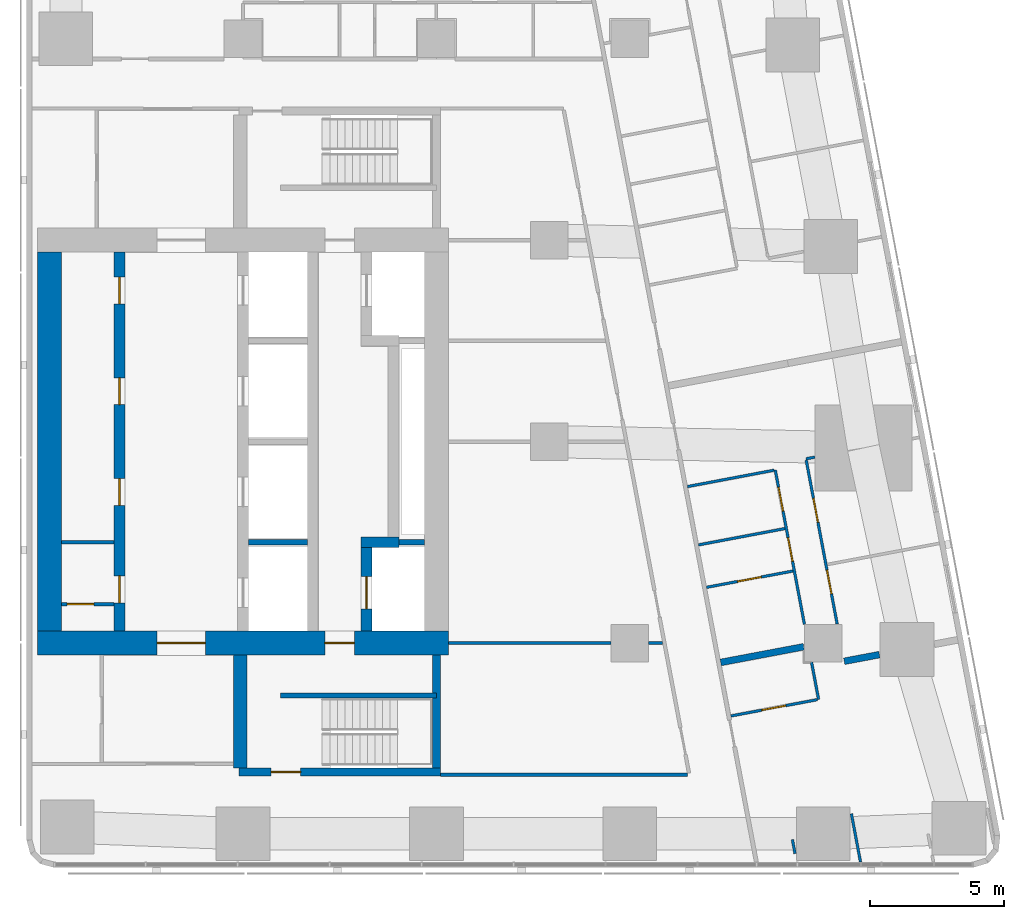
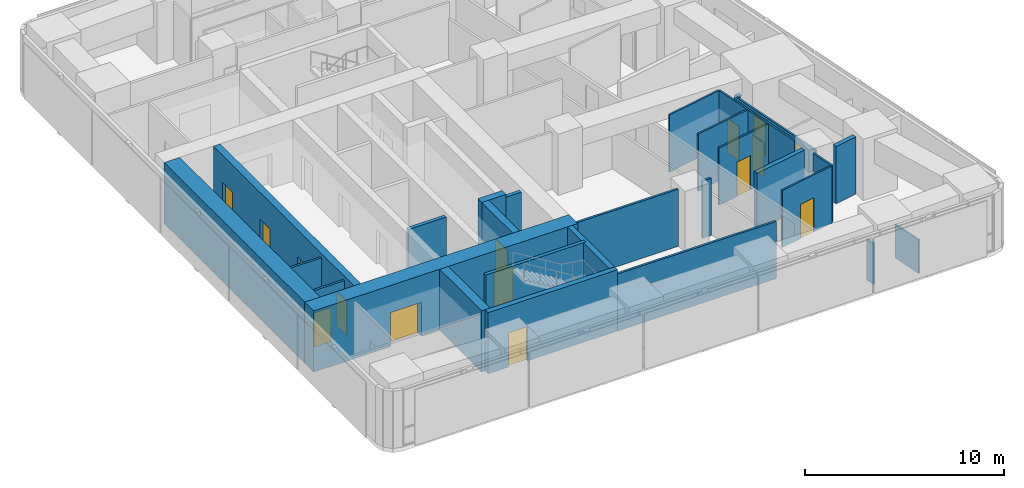
# One storey, part 5 of 11: 28 walls, 15 doors, 15 openings.
"""IFC4 building model written with IfcOpenShell, lengths in metres."""

import ifcopenshell
import ifcopenshell.guid

model = None  # the IFC model being written
_history = None  # IfcOwnerHistory: only IFC2X3 demands one
_inside = {}  # id of a spatial element -> (the spatial element, [elements in it])
_under = {}  # id of a project, library or spatial element -> (it, [spatial elements below it])
_declared = {}  # id of a project -> (the project, [libraries it declares])
_typed = {}  # id of a type object -> (the type object, [elements of that type])
_made_of = {}  # id of a material, layer set ... -> (it, [elements and type objects made of it])


def new_model(schema):
    """Start an empty IFC model of exactly this schema.

    Asked for "IFC4X3", IfcOpenShell would pick the latest addendum, in which some entities
    have other attributes; the version numbers below select the first issue.
    IFC2X3 requires an IfcOwnerHistory on every rooted entity: one is made here for all.
    """
    global model, _history
    if schema == "IFC4X3":
        model = ifcopenshell.file(schema_version=(4, 3, 0, 0))
    else:
        model = ifcopenshell.file(schema=schema)
    _inside.clear()
    _under.clear()
    _declared.clear()
    _typed.clear()
    _made_of.clear()
    _history = None
    if model.schema == "IFC2X3":
        org = make("IfcOrganization", Name="unknown")
        user = make(
            "IfcPersonAndOrganization",
            ThePerson=make("IfcPerson", FamilyName="unknown"),
            TheOrganization=org,
        )
        app = make(
            "IfcApplication",
            ApplicationDeveloper=org,
            Version="unknown",
            ApplicationFullName="unknown",
            ApplicationIdentifier="unknown",
        )
        _history = make(
            "IfcOwnerHistory",
            OwningUser=user,
            OwningApplication=app,
            ChangeAction="ADDED",
            CreationDate=0,
        )
    return model


def make(cls, **values):
    """One entity of the class cls with the attributes given. An attribute that is None is left unset."""
    return model.create_entity(
        cls, **{name: value for name, value in values.items() if value is not None}
    )


def rooted(cls, **values):
    """An entity with a GlobalId (a new one), such as an element, a storey or a relation."""
    return make(cls, GlobalId=ifcopenshell.guid.new(), OwnerHistory=_history, **values)


def si_unit(unit_type, name, prefix=None):
    """IfcSIUnit, for example si_unit("LENGTHUNIT", "METRE", prefix="MILLI")."""
    return make("IfcSIUnit", UnitType=unit_type, Prefix=prefix, Name=name)


def assignment(units):
    """IfcUnitAssignment: the units of a project."""
    return None if units is None else make("IfcUnitAssignment", Units=units)


def point(xyz):
    """IfcCartesianPoint."""
    return None if xyz is None else make("IfcCartesianPoint", Coordinates=xyz)


def direction(xyz):
    """IfcDirection."""
    return None if xyz is None else make("IfcDirection", DirectionRatios=xyz)


def frame(location, z_axis=None, x_axis=None):
    """IfcAxis2Placement3D, a coordinate frame: its origin and axes. An axis left out is left unset."""
    return make(
        "IfcAxis2Placement3D",
        Location=point(location),
        Axis=direction(z_axis),
        RefDirection=direction(x_axis),
    )


def frame_2d(location, x_axis=None):
    """IfcAxis2Placement2D, a coordinate frame in the plane: its origin and x axis."""
    return make(
        "IfcAxis2Placement2D", Location=point(location), RefDirection=direction(x_axis)
    )


def origin():
    """The frame at (0, 0, 0) with its axes left unset."""
    return frame((0.0, 0.0, 0.0))


def place(relative_to, where):
    """IfcLocalPlacement: puts the frame where relative to a parent placement (None: the world)."""
    return make(
        "IfcLocalPlacement", PlacementRelTo=relative_to, RelativePlacement=where
    )


def context(
    kind, dimensions, precision=None, world=None, true_north=None, identifier=None
):
    """IfcGeometricRepresentationContext, for example the 3D "Model" context."""
    return make(
        "IfcGeometricRepresentationContext",
        ContextIdentifier=identifier,
        ContextType=kind,
        CoordinateSpaceDimension=dimensions,
        Precision=precision,
        WorldCoordinateSystem=world,
        TrueNorth=true_north,
    )


def subcontext(parent, identifier, kind, view, scale=None):
    """IfcGeometricRepresentationSubContext, for example "Body" below "Model"."""
    return make(
        "IfcGeometricRepresentationSubContext",
        ContextIdentifier=identifier,
        ContextType=kind,
        ParentContext=parent,
        TargetScale=scale,
        TargetView=view,
    )


def project(units=None, contexts=None):
    """IfcProject with its units and contexts."""
    return rooted(
        "IfcProject",
        Name="project",
        RepresentationContexts=contexts,
        UnitsInContext=assignment(units),
    )


def spatial(cls, under=None, at=None, **own):
    """A site, building, storey or space (cls), placed at a placement, below another one or the project."""
    s = rooted(cls, ObjectPlacement=at, **own)
    if under is not None:
        _under.setdefault(under.id(), (under, []))[1].append(s)
    return s


def profile(cls, at=None, kind="AREA", **sizes):
    """A parametric profile (cls). Its sizes go by their IFC names, for example OverallWidth=200.0."""
    return make(cls, ProfileType=kind, Position=at, **sizes)


def rectangle(**sizes):
    """IfcRectangleProfileDef."""
    return profile("IfcRectangleProfileDef", **sizes)


def extrude(swept, where, along, depth):
    """IfcExtrudedAreaSolid: the profile swept, set in the frame where, extruded along a direction by depth."""
    return make(
        "IfcExtrudedAreaSolid",
        SweptArea=swept,
        Position=where,
        ExtrudedDirection=direction(along),
        Depth=depth,
    )


def shape(context_of_items, identifier, shape_type, items):
    """IfcShapeRepresentation: the items that make up one representation, for example the "Body"."""
    return make(
        "IfcShapeRepresentation",
        ContextOfItems=context_of_items,
        RepresentationIdentifier=identifier,
        RepresentationType=shape_type,
        Items=items,
    )


def material(Name=None, Category=None):
    """IfcMaterial."""
    return make("IfcMaterial", Name=Name, Category=Category)


def layer(
    of_material, thickness, ventilated=None, Name=None, Category=None, Priority=None
):
    """IfcMaterialLayer: one layer of a wall or slab, of a material (None: an air gap)."""
    return make(
        "IfcMaterialLayer",
        Material=of_material,
        LayerThickness=thickness,
        IsVentilated=ventilated,
        Name=Name,
        Category=Category,
        Priority=Priority,
    )


def layer_set(layers, Name=None):
    """IfcMaterialLayerSet."""
    return make("IfcMaterialLayerSet", MaterialLayers=layers, LayerSetName=Name)


def made_of(thing, what):
    """Note that an element or type object is made of a material, layer set ...; save() writes the relation."""
    if what is not None:
        _made_of.setdefault(what.id(), (what, []))[1].append(thing)
    return thing


def type_object(cls, material=None, **own):
    """A type object (cls), such as IfcWallType, which elements share."""
    return made_of(rooted(cls, **own), material)


def element(
    cls,
    number,
    at=None,
    inside=None,
    cuts=None,
    type_object=None,
    material=None,
    context=None,
    identifier="Body",
    shape_type=None,
    held_by="IfcProductDefinitionShape",
    body=None,
    shapes=None,
    **own,
):
    """One element of the class cls, such as IfcWall. Its Tag is "e" and its number.

    at: its placement. inside: the storey or other place that contains it. cuts: it is an
    opening in that element (IfcRelVoidsElement). A single representation is given by context,
    identifier, shape_type and body (its items); several are given by shapes. held_by: the class
    of the entity that holds the representations. save() writes the other relations.
    """
    e = rooted(cls, Tag="e%d" % number, ObjectPlacement=at, **own)
    if body is not None:
        shapes = [shape(context, identifier, shape_type, body)]
    if shapes is not None:
        e.Representation = make(held_by, Representations=shapes)
    if inside is not None:
        _inside.setdefault(inside.id(), (inside, []))[1].append(e)
    if cuts is not None:
        rooted(
            "IfcRelVoidsElement", RelatingBuildingElement=cuts, RelatedOpeningElement=e
        )
    if type_object is not None:
        _typed.setdefault(type_object.id(), (type_object, []))[1].append(e)
    return made_of(e, material)


def fill(opening, filler):
    """IfcRelFillsElement: the door or window that sits in an opening."""
    return rooted(
        "IfcRelFillsElement",
        RelatingOpeningElement=opening,
        RelatedBuildingElement=filler,
    )


def aggregate(whole, parts):
    """IfcRelAggregates: a whole, such as a stair, and the parts it consists of."""
    return rooted("IfcRelAggregates", RelatingObject=whole, RelatedObjects=parts)


def save(model, path):
    """Write the relations noted so far, then the file.

    IfcRelAggregates (storeys below a building ...), IfcRelContainedInSpatialStructure (elements
    in a storey), IfcRelDefinesByType, IfcRelAssociatesMaterial and IfcRelDeclares: one each for
    every whole, place, type object, material and project.
    """
    for whole, parts in _under.values():
        aggregate(whole, parts)
    for where, things in _inside.values():
        rooted(
            "IfcRelContainedInSpatialStructure",
            RelatedElements=things,
            RelatingStructure=where,
        )
    for kind, things in _typed.values():
        rooted("IfcRelDefinesByType", RelatedObjects=things, RelatingType=kind)
    for what, things in _made_of.values():
        rooted("IfcRelAssociatesMaterial", RelatedObjects=things, RelatingMaterial=what)
    for by, libraries in _declared.values():
        rooted("IfcRelDeclares", RelatingContext=by, RelatedDefinitions=libraries)
    model.write(path)


model = new_model("IFC4")

# Units and contexts
model_context = context("Model", 3, precision=1e-05, world=origin(), true_north=direction((0.0, 1.0)))
body_context = subcontext(model_context, "Body", "Model", "MODEL_VIEW")
ifc_project = project(units=[si_unit("LENGTHUNIT", "METRE"), si_unit("AREAUNIT", "SQUARE_METRE"), si_unit("VOLUMEUNIT", "CUBIC_METRE"), si_unit("PLANEANGLEUNIT", "RADIAN"), si_unit("MASSUNIT", "GRAM", prefix="KILO")], contexts=[model_context])

# Site, building, storey
site_placement = place(None, origin())
site = spatial("IfcSite", under=ifc_project, at=site_placement, CompositionType="ELEMENT")
building_placement = place(site_placement, origin())
building = spatial("IfcBuilding", under=site, at=building_placement, Name="Sheger Commons Tower", CompositionType="ELEMENT")
storey_placement = place(building_placement, frame((0.0, 0.0, 266.60009765625)))
storey = spatial("IfcBuildingStorey", under=building, at=storey_placement, Name="L68", CompositionType="ELEMENT", Elevation=266.60009765625)

# Wall, openings, doors
ifc_material_1 = material(Name="Concrete C50/60", Category="concrete")
ifc_layer_1 = layer(ifc_material_1, 0.39990234375)
ifc_layer_set_1 = layer_set([ifc_layer_1], Name="CORE INNER WALL 400")
wall_type_1 = type_object("IfcWallType", Name="CORE INNER WALL 400", PredefinedType="SHEAR", material=ifc_layer_set_1)
wall_1_placement = place(storey_placement, frame((17.0, 15.449951171875, 0.0), z_axis=(0.0, 0.0, 1.0), x_axis=(0.0, 1.0, 0.0)))
wall_1 = element("IfcWall", 1, at=wall_1_placement, inside=storey, type_object=wall_type_1, Name="Core inner wall A L68", PredefinedType="SHEAR", context=body_context, shape_type="SweptSolid", body=[
    extrude(rectangle(XDim=14.10009765625, YDim=0.39990234375, at=frame_2d((7.050048828125, 0.0))), origin(), (0.0, 0.0, 1.0), 3.75),
])
opening_1_placement = place(wall_1_placement, frame((1.050048828125, 0.0, 0.0)))
opening_1 = element("IfcOpeningElement", 2, at=opening_1_placement, cuts=wall_1, Name="Opening D4", PredefinedType="OPENING", context=body_context, shape_type="SweptSolid", body=[
    extrude(rectangle(XDim=1.0, YDim=2.10009765625, at=frame_2d((0.5, 1.050048828125))), frame((0.0, 0.2099609375, 0.0), z_axis=(0.0, -1.0, 0.0), x_axis=(1.0, 0.0, 0.0)), (0.0, 0.0, 1.0), 0.419921875),
])
opening_2_placement = place(wall_1_placement, frame((4.675048828125, 0.0, 0.0)))
opening_2 = element("IfcOpeningElement", 3, at=opening_2_placement, cuts=wall_1, Name="Opening D4", PredefinedType="OPENING", context=body_context, shape_type="SweptSolid", body=[
    extrude(rectangle(XDim=1.0, YDim=2.10009765625, at=frame_2d((0.5, 1.050048828125))), frame((0.0, 0.2099609375, 0.0), z_axis=(0.0, -1.0, 0.0), x_axis=(1.0, 0.0, 0.0)), (0.0, 0.0, 1.0), 0.419921875),
])
opening_3_placement = place(wall_1_placement, frame((8.425048828125, 0.0, 0.0)))
opening_3 = element("IfcOpeningElement", 4, at=opening_3_placement, cuts=wall_1, Name="Opening D4", PredefinedType="OPENING", context=body_context, shape_type="SweptSolid", body=[
    extrude(rectangle(XDim=1.0, YDim=2.10009765625, at=frame_2d((0.5, 1.050048828125))), frame((0.0, 0.2099609375, 0.0), z_axis=(0.0, -1.0, 0.0), x_axis=(1.0, 0.0, 0.0)), (0.0, 0.0, 1.0), 0.419921875),
])
opening_4_placement = place(wall_1_placement, frame((12.175048828125, 0.0, 0.0)))
opening_4 = element("IfcOpeningElement", 5, at=opening_4_placement, cuts=wall_1, Name="Opening D4", PredefinedType="OPENING", context=body_context, shape_type="SweptSolid", body=[
    extrude(rectangle(XDim=1.0, YDim=2.10009765625, at=frame_2d((0.5, 1.050048828125))), frame((0.0, 0.2099609375, 0.0), z_axis=(0.0, -1.0, 0.0), x_axis=(1.0, 0.0, 0.0)), (0.0, 0.0, 1.0), 0.419921875),
])
ifc_material_2 = material(Name="Steel door set, fire rated", Category="steel")
door_type_1 = type_object("IfcDoorType", Name="SERVICE DOOR 1000x2100", OperationType="NOTDEFINED", PredefinedType="DOOR", material=ifc_material_2)
door_1_placement = place(opening_1_placement, origin())
door_1 = element("IfcDoor", 6, at=door_1_placement, inside=storey, type_object=door_type_1, Name="IT and telecom room door", OperationType="SINGLE_SWING_LEFT", OverallHeight=2.10009765625, OverallWidth=1.0, PredefinedType="DOOR", context=body_context, shape_type="SweptSolid", body=[
    extrude(rectangle(XDim=1.0, YDim=2.10009765625, at=frame_2d((0.5, 1.050048828125))), frame((0.0, 0.02490234375, 0.0), z_axis=(0.0, -1.0, 0.0), x_axis=(1.0, 0.0, 0.0)), (0.0, 0.0, 1.0), 0.050048828125),
])
fill(opening_1, door_1)
door_2_placement = place(opening_2_placement, origin())
door_2 = element("IfcDoor", 7, at=door_2_placement, inside=storey, type_object=door_type_1, Name="Linen and housekeeping store door", OperationType="SINGLE_SWING_LEFT", OverallHeight=2.10009765625, OverallWidth=1.0, PredefinedType="DOOR", context=body_context, shape_type="SweptSolid", body=[
    extrude(rectangle(XDim=1.0, YDim=2.10009765625, at=frame_2d((0.5, 1.050048828125))), frame((0.0, 0.02490234375, 0.0), z_axis=(0.0, -1.0, 0.0), x_axis=(1.0, 0.0, 0.0)), (0.0, 0.0, 1.0), 0.050048828125),
])
fill(opening_2, door_2)
door_3_placement = place(opening_3_placement, origin())
door_3 = element("IfcDoor", 8, at=door_3_placement, inside=storey, type_object=door_type_1, Name="Linen and housekeeping store door", OperationType="SINGLE_SWING_RIGHT", OverallHeight=2.10009765625, OverallWidth=1.0, PredefinedType="DOOR", context=body_context, shape_type="SweptSolid", body=[
    extrude(rectangle(XDim=1.0, YDim=2.10009765625, at=frame_2d((0.5, 1.050048828125))), frame((0.0, 0.02490234375, 0.0), z_axis=(0.0, -1.0, 0.0), x_axis=(1.0, 0.0, 0.0)), (0.0, 0.0, 1.0), 0.050048828125),
])
fill(opening_3, door_3)
door_4_placement = place(opening_4_placement, origin())
door_4 = element("IfcDoor", 9, at=door_4_placement, inside=storey, type_object=door_type_1, Name="Linen and housekeeping store door", OperationType="SINGLE_SWING_RIGHT", OverallHeight=2.10009765625, OverallWidth=1.0, PredefinedType="DOOR", context=body_context, shape_type="SweptSolid", body=[
    extrude(rectangle(XDim=1.0, YDim=2.10009765625, at=frame_2d((0.5, 1.050048828125))), frame((0.0, 0.02490234375, 0.0), z_axis=(0.0, -1.0, 0.0), x_axis=(1.0, 0.0, 0.0)), (0.0, 0.0, 1.0), 0.050048828125),
])
fill(opening_4, door_4)

# Wall, opening, door
wall_2_placement = place(storey_placement, frame((26.199951171875, 15.449951171875, 0.0), z_axis=(0.0, 0.0, 1.0), x_axis=(0.0, 1.0, 0.0)))
wall_2 = element("IfcWall", 10, at=wall_2_placement, inside=storey, type_object=wall_type_1, Name="Core inner wall F L68", PredefinedType="SHEAR", context=body_context, shape_type="SweptSolid", body=[
    extrude(rectangle(XDim=3.10009765625, YDim=0.39990234375, at=frame_2d((1.550048828125, 0.0))), origin(), (0.0, 0.0, 1.0), 3.75),
])
opening_5_placement = place(wall_2_placement, frame((0.824951171875, 0.0, 0.0)))
opening_5 = element("IfcOpeningElement", 11, at=opening_5_placement, cuts=wall_2, Name="Opening LD2", PredefinedType="OPENING", context=body_context, shape_type="SweptSolid", body=[
    extrude(rectangle(XDim=1.199951171875, YDim=2.10009765625, at=frame_2d((0.60009765625, 1.050048828125))), frame((0.0, 0.2099609375, 0.0), z_axis=(0.0, -1.0, 0.0), x_axis=(1.0, 0.0, 0.0)), (0.0, 0.0, 1.0), 0.419921875),
])
ifc_material_3 = material(Name="Steel door set, fire rated", Category="steel")
door_type_2 = type_object("IfcDoorType", Name="FIREFIGHTING LIFT LANDING DOOR 1200x2100", OperationType="DOUBLE_DOOR_SLIDING", PredefinedType="DOOR", material=ifc_material_3)
door_5_placement = place(opening_5_placement, origin())
door_5 = element("IfcDoor", 12, at=door_5_placement, inside=storey, type_object=door_type_2, Name="Lift FL1 landing door", OperationType="DOUBLE_DOOR_SLIDING", OverallHeight=2.10009765625, OverallWidth=1.199951171875, PredefinedType="DOOR", context=body_context, shape_type="SweptSolid", body=[
    extrude(rectangle(XDim=1.199951171875, YDim=2.10009765625, at=frame_2d((0.60009765625, 1.050048828125))), frame((0.0, 0.02490234375, 0.0), z_axis=(0.0, -1.0, 0.0), x_axis=(1.0, 0.0, 0.0)), (0.0, 0.0, 1.0), 0.050048828125),
])
fill(opening_5, door_5)

# Wall
wall_3_placement = place(storey_placement, frame((26.0, 18.75, 0.0), z_axis=(0.0, 0.0, 1.0), x_axis=(1.0, 0.0, 0.0)))
element("IfcWall", 13, at=wall_3_placement, inside=storey, type_object=wall_type_1, Name="Core inner wall F south return L68", PredefinedType="SHEAR", context=body_context, shape_type="SweptSolid", body=[
    extrude(rectangle(XDim=1.39990234375, YDim=0.39990234375, at=frame_2d((0.699951171875, 0.0))), origin(), (0.0, 0.0, 1.0), 3.75),
])

# Wall, openings, doors
ifc_material_4 = material(Name="Concrete C50/60", Category="concrete")
ifc_layer_2 = layer(ifc_material_4, 0.89990234375)
ifc_layer_set_2 = layer_set([ifc_layer_2], Name="CORE WALL 900")
wall_type_2 = type_object("IfcWallType", Name="CORE WALL 900", PredefinedType="SHEAR", material=ifc_layer_set_2)
wall_4_placement = place(storey_placement, frame((13.949951171875, 15.0, 0.0), z_axis=(0.0, 0.0, 1.0), x_axis=(1.0, 0.0, 0.0)))
wall_4 = element("IfcWall", 14, at=wall_4_placement, inside=storey, type_object=wall_type_2, Name="Core wall south L68", PredefinedType="SHEAR", context=body_context, shape_type="SweptSolid", body=[
    extrude(rectangle(XDim=15.300048828125, YDim=0.89990234375, at=frame_2d((7.64990234375, 0.0))), origin(), (0.0, 0.0, 1.0), 3.75),
])
opening_6_placement = place(wall_4_placement, frame((4.449951171875, 0.0, 0.0)))
opening_6 = element("IfcOpeningElement", 15, at=opening_6_placement, cuts=wall_4, Name="Opening D6", PredefinedType="OPENING", context=body_context, shape_type="SweptSolid", body=[
    extrude(rectangle(XDim=1.800048828125, YDim=2.10009765625, at=frame_2d((0.89990234375, 1.050048828125))), frame((0.0, 0.4599609375, 0.0), z_axis=(0.0, -1.0, 0.0), x_axis=(1.0, 0.0, 0.0)), (0.0, 0.0, 1.0), 0.919921875),
])
opening_7_placement = place(wall_4_placement, frame((10.699951171875, 0.0, 0.0)))
opening_7 = element("IfcOpeningElement", 16, at=opening_7_placement, cuts=wall_4, Name="Opening D5", PredefinedType="OPENING", context=body_context, shape_type="SweptSolid", body=[
    extrude(rectangle(XDim=1.10009765625, YDim=2.10009765625, at=frame_2d((0.550048828125, 1.050048828125))), frame((0.0, 0.4599609375, 0.0), z_axis=(0.0, -1.0, 0.0), x_axis=(1.0, 0.0, 0.0)), (0.0, 0.0, 1.0), 0.919921875),
])
ifc_material_5 = material(Name="Steel door set, fire rated", Category="steel")
door_type_3 = type_object("IfcDoorType", Name="LOBBY DOUBLE DOOR 1800x2100", OperationType="DOUBLE_DOOR_SINGLE_SWING", PredefinedType="DOOR", material=ifc_material_5)
door_6_placement = place(opening_6_placement, origin())
door_6 = element("IfcDoor", 17, at=door_6_placement, inside=storey, type_object=door_type_3, Name="Lift lobby door", OperationType="DOUBLE_DOOR_SINGLE_SWING", OverallHeight=2.10009765625, OverallWidth=1.800048828125, PredefinedType="DOOR", context=body_context, shape_type="SweptSolid", body=[
    extrude(rectangle(XDim=1.800048828125, YDim=2.10009765625, at=frame_2d((0.89990234375, 1.050048828125))), frame((0.0, 0.02490234375, 0.0), z_axis=(0.0, -1.0, 0.0), x_axis=(1.0, 0.0, 0.0)), (0.0, 0.0, 1.0), 0.050048828125),
])
fill(opening_6, door_6)
ifc_material_6 = material(Name="Steel door set, fire rated", Category="steel")
door_type_4 = type_object("IfcDoorType", Name="STAIR DOOR 1100x2100", OperationType="NOTDEFINED", PredefinedType="DOOR", material=ifc_material_6)
door_7_placement = place(opening_7_placement, origin())
door_7 = element("IfcDoor", 18, at=door_7_placement, inside=storey, type_object=door_type_4, Name="Fire-fighting lobby door", OperationType="SINGLE_SWING_RIGHT", OverallHeight=2.10009765625, OverallWidth=1.10009765625, PredefinedType="DOOR", context=body_context, shape_type="SweptSolid", body=[
    extrude(rectangle(XDim=1.10009765625, YDim=2.10009765625, at=frame_2d((0.550048828125, 1.050048828125))), frame((0.0, 0.02490234375, 0.0), z_axis=(0.0, -1.0, 0.0), x_axis=(1.0, 0.0, 0.0)), (0.0, 0.0, 1.0), 0.050048828125),
])
fill(opening_7, door_7)

# Walls
wall_5_placement = place(storey_placement, frame((14.39990234375, 15.449951171875, 0.0), z_axis=(0.0, 0.0, 1.0), x_axis=(0.0, 1.0, 0.0)))
element("IfcWall", 19, at=wall_5_placement, inside=storey, type_object=wall_type_2, Name="Core wall west L68", PredefinedType="SHEAR", context=body_context, shape_type="SweptSolid", body=[
    extrude(rectangle(XDim=14.10009765625, YDim=0.89990234375, at=frame_2d((7.050048828125, 0.0))), origin(), (0.0, 0.0, 1.0), 3.75),
])
ifc_material_7 = material(Name="Dense concrete block masonry, plastered both sides (separating wall between flats)", Category="masonry")
ifc_layer_3 = layer(ifc_material_7, 0.25)
ifc_layer_set_3 = layer_set([ifc_layer_3], Name="DEMISING WALL 250")
wall_type_3 = type_object("IfcWallType", Name="DEMISING WALL 250", PredefinedType="SOLIDWALL", material=ifc_layer_set_3)
wall_6_placement = place(storey_placement, frame((45.2900390625, 14.569091796875, 0.0), z_axis=(0.0, 0.0, 1.0), x_axis=(-0.982676759201, -0.185327782391, 0.0)))
element("IfcWall", 20, at=wall_6_placement, inside=storey, type_object=wall_type_3, Name="Demising wall L68", PredefinedType="SOLIDWALL", context=body_context, shape_type="SweptSolid", body=[
    extrude(rectangle(XDim=1.333251953125, YDim=0.25, at=frame_2d((0.66650390625, 0.0))), origin(), (0.0, 0.0, 1.0), 3.5),
])
wall_7_placement = place(storey_placement, frame((42.47607421875, 14.863037109375, 0.0), z_axis=(0.0, 0.0, 1.0), x_axis=(-0.982638716117, -0.185529387398, 0.0)))
element("IfcWall", 21, at=wall_7_placement, inside=storey, type_object=wall_type_3, Name="Demising wall L68", PredefinedType="SOLIDWALL", context=body_context, shape_type="SweptSolid", body=[
    extrude(rectangle(XDim=3.147705078125, YDim=0.25, at=frame_2d((1.57373046875, 0.0))), origin(), (0.0, 0.0, 1.0), 3.5),
])
ifc_material_8 = material(Name="Gypsum board on steel studs", Category="steel")
ifc_layer_4 = layer(ifc_material_8, 0.10009765625)
ifc_layer_set_4 = layer_set([ifc_layer_4], Name="PARTITION 100")
wall_type_4 = type_object("IfcWallType", Name="PARTITION 100", PredefinedType="PARTITIONING", material=ifc_layer_set_4)
wall_8_placement = place(storey_placement, frame((44.248046875, 8.64599609375, 0.0), z_axis=(0.0, 0.0, 1.0), x_axis=(0.185417594585, -0.982659816833, 0.0)))
element("IfcWall", 22, at=wall_8_placement, inside=storey, type_object=wall_type_4, Name="Partition L68", PredefinedType="PARTITIONING", context=body_context, shape_type="SweptSolid", body=[
    extrude(rectangle(XDim=1.82763671875, YDim=0.10009765625, at=frame_2d((0.913818359375, 0.0))), origin(), (0.0, 0.0, 1.0), 2.0498046875),
])
wall_9_placement = place(storey_placement, frame((42.15087890625, 7.159912109375, 0.0), z_axis=(0.0, 0.0, 1.0), x_axis=(-0.185366164644, 0.982669519729, 0.0)))
element("IfcWall", 23, at=wall_9_placement, inside=storey, type_object=wall_type_4, Name="Partition L68", PredefinedType="PARTITIONING", context=body_context, shape_type="SweptSolid", body=[
    extrude(rectangle(XDim=0.533447265625, YDim=0.10009765625, at=frame_2d((0.2666015625, 0.0))), origin(), (0.0, 0.0, 1.0), 2.5),
])

# Wall, openings, doors
wall_10_placement = place(storey_placement, frame((42.56591796875, 21.80908203125, 0.0), z_axis=(0.0, 0.0, 1.0), x_axis=(0.185613526435, -0.98262282632, 0.0)))
wall_10 = element("IfcWall", 24, at=wall_10_placement, inside=storey, type_object=wall_type_4, Name="Partition L68", PredefinedType="PARTITIONING", context=body_context, shape_type="SweptSolid", body=[
    extrude(rectangle(XDim=6.20703125, YDim=0.10009765625, at=frame_2d((3.103515625, 0.0))), origin(), (0.0, 0.0, 1.0), 2.5),
])
opening_8_placement = place(wall_10_placement, frame((1.449951171875, 0.0, 0.0)))
opening_8 = element("IfcOpeningElement", 25, at=opening_8_placement, cuts=wall_10, Name="Opening D2", PredefinedType="OPENING", context=body_context, shape_type="SweptSolid", body=[
    extrude(rectangle(XDim=0.89990234375, YDim=2.10009765625, at=frame_2d((0.449951171875, 1.050048828125))), frame((0.0, 0.06005859375, 0.0), z_axis=(0.0, -1.0, 0.0), x_axis=(1.0, 0.0, 0.0)), (0.0, 0.0, 1.0), 0.1201171875),
])
opening_9_placement = place(wall_10_placement, frame((4.1630859375, 0.0, 0.0)))
opening_9 = element("IfcOpeningElement", 26, at=opening_9_placement, cuts=wall_10, Name="Opening D2", PredefinedType="OPENING", context=body_context, shape_type="SweptSolid", body=[
    extrude(rectangle(XDim=0.89990234375, YDim=2.10009765625, at=frame_2d((0.449951171875, 1.050048828125))), frame((0.0, 0.06005859375, 0.0), z_axis=(0.0, -1.0, 0.0), x_axis=(1.0, 0.0, 0.0)), (0.0, 0.0, 1.0), 0.1201171875),
])
ifc_material_9 = material(Name="Timber door set", Category="wood")
door_type_5 = type_object("IfcDoorType", Name="INTERNAL DOOR 900x2100", OperationType="NOTDEFINED", PredefinedType="DOOR", material=ifc_material_9)
door_8_placement = place(opening_8_placement, origin())
door_8 = element("IfcDoor", 27, at=door_8_placement, inside=storey, type_object=door_type_5, Name="Main bedroom door", OperationType="SINGLE_SWING_LEFT", OverallHeight=2.10009765625, OverallWidth=0.89990234375, PredefinedType="DOOR", context=body_context, shape_type="SweptSolid", body=[
    extrude(rectangle(XDim=0.89990234375, YDim=2.10009765625, at=frame_2d((0.449951171875, 1.050048828125))), frame((0.0, 0.02490234375, 0.0), z_axis=(0.0, -1.0, 0.0), x_axis=(1.0, 0.0, 0.0)), (0.0, 0.0, 1.0), 0.050048828125),
])
fill(opening_8, door_8)
door_9_placement = place(opening_9_placement, origin())
door_9 = element("IfcDoor", 28, at=door_9_placement, inside=storey, type_object=door_type_5, Name="Bedroom 2 door", OperationType="SINGLE_SWING_LEFT", OverallHeight=2.10009765625, OverallWidth=0.89990234375, PredefinedType="DOOR", context=body_context, shape_type="SweptSolid", body=[
    extrude(rectangle(XDim=0.89990234375, YDim=2.10009765625, at=frame_2d((0.449951171875, 1.050048828125))), frame((0.0, 0.02490234375, 0.0), z_axis=(0.0, -1.0, 0.0), x_axis=(1.0, 0.0, 0.0)), (0.0, 0.0, 1.0), 0.050048828125),
])
fill(opening_9, door_9)

wall_11_placement = place(storey_placement, frame((41.4140625, 21.44189453125, 0.0), z_axis=(0.0, 0.0, 1.0), x_axis=(0.185698675093, -0.982606738257, 0.0)))
wall_11 = element("IfcWall", 29, at=wall_11_placement, inside=storey, type_object=wall_type_4, Name="Partition L68", PredefinedType="PARTITIONING", context=body_context, shape_type="SweptSolid", body=[
    extrude(rectangle(XDim=5.842529296875, YDim=0.10009765625, at=frame_2d((2.92138671875, 0.0))), origin(), (0.0, 0.0, 1.0), 3.5),
])
opening_10_placement = place(wall_11_placement, frame((0.655029296875, 0.0, 0.0)))
opening_10 = element("IfcOpeningElement", 30, at=opening_10_placement, cuts=wall_11, Name="Opening D2", PredefinedType="OPENING", context=body_context, shape_type="SweptSolid", body=[
    extrude(rectangle(XDim=0.89990234375, YDim=2.10009765625, at=frame_2d((0.449951171875, 1.050048828125))), frame((0.0, 0.06005859375, 0.0), z_axis=(0.0, -1.0, 0.0), x_axis=(1.0, 0.0, 0.0)), (0.0, 0.0, 1.0), 0.1201171875),
])
opening_11_placement = place(wall_11_placement, frame((2.56298828125, 0.0, 0.0)))
opening_11 = element("IfcOpeningElement", 31, at=opening_11_placement, cuts=wall_11, Name="Opening D2", PredefinedType="OPENING", context=body_context, shape_type="SweptSolid", body=[
    extrude(rectangle(XDim=0.89990234375, YDim=2.10009765625, at=frame_2d((0.449951171875, 1.050048828125))), frame((0.0, 0.06005859375, 0.0), z_axis=(0.0, -1.0, 0.0), x_axis=(1.0, 0.0, 0.0)), (0.0, 0.0, 1.0), 0.1201171875),
])
door_10_placement = place(opening_10_placement, origin())
door_10 = element("IfcDoor", 32, at=door_10_placement, inside=storey, type_object=door_type_5, Name="Bathroom door", OperationType="SINGLE_SWING_RIGHT", OverallHeight=2.10009765625, OverallWidth=0.89990234375, PredefinedType="DOOR", context=body_context, shape_type="SweptSolid", body=[
    extrude(rectangle(XDim=0.89990234375, YDim=2.10009765625, at=frame_2d((0.449951171875, 1.050048828125))), frame((0.0, 0.02490234375, 0.0), z_axis=(0.0, -1.0, 0.0), x_axis=(1.0, 0.0, 0.0)), (0.0, 0.0, 1.0), 0.050048828125),
])
fill(opening_10, door_10)
door_11_placement = place(opening_11_placement, origin())
door_11 = element("IfcDoor", 33, at=door_11_placement, inside=storey, type_object=door_type_5, Name="Store door", OperationType="SINGLE_SWING_LEFT", OverallHeight=2.10009765625, OverallWidth=0.89990234375, PredefinedType="DOOR", context=body_context, shape_type="SweptSolid", body=[
    extrude(rectangle(XDim=0.89990234375, YDim=2.10009765625, at=frame_2d((0.449951171875, 1.050048828125))), frame((0.0, 0.02490234375, 0.0), z_axis=(0.0, -1.0, 0.0), x_axis=(1.0, 0.0, 0.0)), (0.0, 0.0, 1.0), 0.050048828125),
])
fill(opening_11, door_11)

# Walls
wall_12_placement = place(storey_placement, frame((42.886962890625, 21.9208984375, 0.0), z_axis=(0.0, 0.0, 1.0), x_axis=(-0.982274918032, -0.187445953293, 0.0)))
element("IfcWall", 34, at=wall_12_placement, inside=storey, type_object=wall_type_4, Name="Partition L68", PredefinedType="PARTITIONING", context=body_context, shape_type="SweptSolid", body=[
    extrude(rectangle(XDim=0.3359375, YDim=0.10009765625, at=frame_2d((0.16796875, 0.0))), origin(), (0.0, 0.0, 1.0), 2.5),
])
wall_13_placement = place(storey_placement, frame((41.364990234375, 21.43310546875, 0.0), z_axis=(0.0, 0.0, 1.0), x_axis=(-0.982607026909, -0.185697147715, 0.0)))
element("IfcWall", 35, at=wall_13_placement, inside=storey, type_object=wall_type_4, Name="Partition L68", PredefinedType="PARTITIONING", context=body_context, shape_type="SweptSolid", body=[
    extrude(rectangle(XDim=3.27490234375, YDim=0.10009765625, at=frame_2d((1.637451171875, 0.0))), origin(), (0.0, 0.0, 1.0), 3.5),
])

# Wall, opening, door
wall_14_placement = place(storey_placement, frame((42.072998046875, 17.681884765625, 0.0), z_axis=(0.0, 0.0, 1.0), x_axis=(-0.982620626894, -0.185625169636, 0.0)))
wall_14 = element("IfcWall", 36, at=wall_14_placement, inside=storey, type_object=wall_type_4, Name="Partition L68", PredefinedType="PARTITIONING", context=body_context, shape_type="SweptSolid", body=[
    extrude(rectangle(XDim=3.27490234375, YDim=0.10009765625, at=frame_2d((1.637451171875, 0.0))), origin(), (0.0, 0.0, 1.0), 3.5),
])
opening_12_placement = place(wall_14_placement, frame((1.199951171875, 0.0, 0.0)))
opening_12 = element("IfcOpeningElement", 37, at=opening_12_placement, cuts=wall_14, Name="Opening D2", PredefinedType="OPENING", context=body_context, shape_type="SweptSolid", body=[
    extrude(rectangle(XDim=0.89990234375, YDim=2.10009765625, at=frame_2d((0.449951171875, 1.050048828125))), frame((0.0, 0.06005859375, 0.0), z_axis=(0.0, -1.0, 0.0), x_axis=(1.0, 0.0, 0.0)), (0.0, 0.0, 1.0), 0.1201171875),
])
door_12_placement = place(opening_12_placement, origin())
door_12 = element("IfcDoor", 38, at=door_12_placement, inside=storey, type_object=door_type_5, Name="Store door", OperationType="SINGLE_SWING_LEFT", OverallHeight=2.10009765625, OverallWidth=0.89990234375, PredefinedType="DOOR", context=body_context, shape_type="SweptSolid", body=[
    extrude(rectangle(XDim=0.89990234375, YDim=2.10009765625, at=frame_2d((0.449951171875, 1.050048828125))), frame((0.0, 0.02490234375, 0.0), z_axis=(0.0, -1.0, 0.0), x_axis=(1.0, 0.0, 0.0)), (0.0, 0.0, 1.0), 0.050048828125),
])
fill(opening_12, door_12)

# Walls
wall_15_placement = place(storey_placement, frame((41.77490234375, 19.260986328125, 0.0), z_axis=(0.0, 0.0, 1.0), x_axis=(-0.982620626894, -0.185625169636, 0.0)))
element("IfcWall", 39, at=wall_15_placement, inside=storey, type_object=wall_type_4, Name="Partition L68", PredefinedType="PARTITIONING", context=body_context, shape_type="SweptSolid", body=[
    extrude(rectangle(XDim=3.27490234375, YDim=0.10009765625, at=frame_2d((1.637451171875, 0.0))), origin(), (0.0, 0.0, 1.0), 3.5),
])
wall_16_placement = place(storey_placement, frame((42.764892578125, 14.2900390625, 0.0), z_axis=(0.0, 0.0, 1.0), x_axis=(0.185634589628, -0.982618847333, 0.0)))
element("IfcWall", 40, at=wall_16_placement, inside=storey, type_object=wall_type_4, Name="Partition L68", PredefinedType="PARTITIONING", context=body_context, shape_type="SweptSolid", body=[
    extrude(rectangle(XDim=1.41259765625, YDim=0.10009765625, at=frame_2d((0.706298828125, 0.0))), origin(), (0.0, 0.0, 1.0), 3.5),
])

# Wall, opening, door
wall_17_placement = place(storey_placement, frame((42.97802734375, 12.89306640625, 0.0), z_axis=(0.0, 0.0, 1.0), x_axis=(-0.982607026909, -0.185697147715, 0.0)))
wall_17 = element("IfcWall", 41, at=wall_17_placement, inside=storey, type_object=wall_type_4, Name="Partition L68", PredefinedType="PARTITIONING", context=body_context, shape_type="SweptSolid", body=[
    extrude(rectangle(XDim=3.27490234375, YDim=0.10009765625, at=frame_2d((1.637451171875, 0.0))), origin(), (0.0, 0.0, 1.0), 3.5),
])
opening_13_placement = place(wall_17_placement, frame((1.199951171875, 0.0, 0.0)))
opening_13 = element("IfcOpeningElement", 42, at=opening_13_placement, cuts=wall_17, Name="Opening D2", PredefinedType="OPENING", context=body_context, shape_type="SweptSolid", body=[
    extrude(rectangle(XDim=0.89990234375, YDim=2.10009765625, at=frame_2d((0.449951171875, 1.050048828125))), frame((0.0, 0.06005859375, 0.0), z_axis=(0.0, -1.0, 0.0), x_axis=(1.0, 0.0, 0.0)), (0.0, 0.0, 1.0), 0.1201171875),
])
door_13_placement = place(opening_13_placement, origin())
door_13 = element("IfcDoor", 43, at=door_13_placement, inside=storey, type_object=door_type_5, Name="Shower room door", OperationType="SINGLE_SWING_LEFT", OverallHeight=2.10009765625, OverallWidth=0.89990234375, PredefinedType="DOOR", context=body_context, shape_type="SweptSolid", body=[
    extrude(rectangle(XDim=0.89990234375, YDim=2.10009765625, at=frame_2d((0.449951171875, 1.050048828125))), frame((0.0, 0.02490234375, 0.0), z_axis=(0.0, -1.0, 0.0), x_axis=(1.0, 0.0, 0.0)), (0.0, 0.0, 1.0), 0.050048828125),
])
fill(opening_13, door_13)

# Walls
ifc_material_10 = material(Name="Gypsum board on steel studs, two layers each side, fire rated", Category="steel")
ifc_layer_5 = layer(ifc_material_10, 0.125)
ifc_layer_set_5 = layer_set([ifc_layer_5], Name="SERVICE WALL 125")
wall_type_5 = type_object("IfcWallType", Name="SERVICE WALL 125", PredefinedType="PARTITIONING", material=ifc_layer_set_5)
wall_18_placement = place(storey_placement, frame((28.949951171875, 10.10009765625, 0.0), z_axis=(0.0, 0.0, 1.0), x_axis=(1.0, 0.0, 0.0)))
element("IfcWall", 44, at=wall_18_placement, inside=storey, type_object=wall_type_5, Name="Service room wall L68", PredefinedType="PARTITIONING", context=body_context, shape_type="SweptSolid", body=[
    extrude(rectangle(XDim=9.18798828125, YDim=0.125, at=frame_2d((4.593994140625, 0.0))), origin(), (0.0, 0.0, 1.0), 3.5),
])
wall_19_placement = place(storey_placement, frame((29.25, 15.0, 0.0), z_axis=(0.0, 0.0, 1.0), x_axis=(1.0, 0.0, 0.0)))
element("IfcWall", 45, at=wall_19_placement, inside=storey, type_object=wall_type_5, Name="Service room wall L68", PredefinedType="PARTITIONING", context=body_context, shape_type="SweptSolid", body=[
    extrude(rectangle(XDim=6.049072265625, YDim=0.125, at=frame_2d((3.0244140625, 0.0))), origin(), (0.0, 0.0, 1.0), 3.5),
])
wall_20_placement = place(storey_placement, frame((36.700927734375, 15.0, 0.0), z_axis=(0.0, 0.0, 1.0), x_axis=(1.0, 0.0, 0.0)))
element("IfcWall", 46, at=wall_20_placement, inside=storey, type_object=wall_type_5, Name="Service room wall L68", PredefinedType="PARTITIONING", context=body_context, shape_type="SweptSolid", body=[
    extrude(rectangle(XDim=0.511962890625, YDim=0.125, at=frame_2d((0.255859375, 0.0))), origin(), (0.0, 0.0, 1.0), 3.5),
])

# Wall, opening, door
wall_21_placement = place(storey_placement, frame((14.85009765625, 16.449951171875, 0.0), z_axis=(0.0, 0.0, 1.0), x_axis=(1.0, 0.0, 0.0)))
wall_21 = element("IfcWall", 47, at=wall_21_placement, inside=storey, type_object=wall_type_5, Name="Service room wall L68", PredefinedType="PARTITIONING", context=body_context, shape_type="SweptSolid", body=[
    extrude(rectangle(XDim=1.949951171875, YDim=0.125, at=frame_2d((0.97509765625, 0.0))), origin(), (0.0, 0.0, 1.0), 3.5),
])
opening_14_placement = place(wall_21_placement, frame((0.199951171875, 0.0, 0.0)))
opening_14 = element("IfcOpeningElement", 48, at=opening_14_placement, cuts=wall_21, Name="Opening D4", PredefinedType="OPENING", context=body_context, shape_type="SweptSolid", body=[
    extrude(rectangle(XDim=1.0, YDim=2.10009765625, at=frame_2d((0.5, 1.050048828125))), frame((0.0, 0.072509765625, 0.0), z_axis=(0.0, -1.0, 0.0), x_axis=(1.0, 0.0, 0.0)), (0.0, 0.0, 1.0), 0.14501953125),
])
door_14_placement = place(opening_14_placement, origin())
door_14 = element("IfcDoor", 49, at=door_14_placement, inside=storey, type_object=door_type_1, Name="Electrical riser door", OperationType="SINGLE_SWING_RIGHT", OverallHeight=2.10009765625, OverallWidth=1.0, PredefinedType="DOOR", context=body_context, shape_type="SweptSolid", body=[
    extrude(rectangle(XDim=1.0, YDim=2.10009765625, at=frame_2d((0.5, 1.050048828125))), frame((0.0, 0.02490234375, 0.0), z_axis=(0.0, -1.0, 0.0), x_axis=(1.0, 0.0, 0.0)), (0.0, 0.0, 1.0), 0.050048828125),
])
fill(opening_14, door_14)

# Walls
wall_22_placement = place(storey_placement, frame((14.85009765625, 18.75, 0.0), z_axis=(0.0, 0.0, 1.0), x_axis=(1.0, 0.0, 0.0)))
element("IfcWall", 50, at=wall_22_placement, inside=storey, type_object=wall_type_5, Name="Service room wall L68", PredefinedType="PARTITIONING", context=body_context, shape_type="SweptSolid", body=[
    extrude(rectangle(XDim=1.949951171875, YDim=0.125, at=frame_2d((0.97509765625, 0.0))), origin(), (0.0, 0.0, 1.0), 3.5),
])
ifc_material_11 = material(Name="Hollow concrete block masonry", Category="masonry")
ifc_layer_6 = layer(ifc_material_11, 0.199951171875)
ifc_layer_set_6 = layer_set([ifc_layer_6], Name="SHAFT WALL 200")
wall_type_6 = type_object("IfcWallType", Name="SHAFT WALL 200", PredefinedType="SOLIDWALL", material=ifc_layer_set_6)
wall_23_placement = place(storey_placement, frame((21.800048828125, 18.75, 0.0), z_axis=(0.0, 0.0, 1.0), x_axis=(1.0, 0.0, 0.0)))
element("IfcWall", 51, at=wall_23_placement, inside=storey, type_object=wall_type_6, Name="Lift shaft wall L68", PredefinedType="SOLIDWALL", context=body_context, shape_type="SweptSolid", body=[
    extrude(rectangle(XDim=2.199951171875, YDim=0.199951171875, at=frame_2d((1.10009765625, 0.0))), origin(), (0.0, 0.0, 1.0), 3.5),
])
wall_24_placement = place(storey_placement, frame((27.39990234375, 18.75, 0.0), z_axis=(0.0, 0.0, 1.0), x_axis=(1.0, 0.0, 0.0)))
element("IfcWall", 52, at=wall_24_placement, inside=storey, type_object=wall_type_6, Name="Lift shaft wall L68", PredefinedType="SOLIDWALL", context=body_context, shape_type="SweptSolid", body=[
    extrude(rectangle(XDim=0.9501953125, YDim=0.199951171875, at=frame_2d((0.47509765625, 0.0))), origin(), (0.0, 0.0, 1.0), 3.5),
])

# Wall, opening, door
ifc_material_12 = material(Name="Concrete C50/60", Category="concrete")
ifc_layer_7 = layer(ifc_material_12, 0.300048828125)
ifc_layer_set_7 = layer_set([ifc_layer_7], Name="STAIR CORE WALL 300")
wall_type_7 = type_object("IfcWallType", Name="STAIR CORE WALL 300", PredefinedType="SHEAR", material=ifc_layer_set_7)
wall_25_placement = place(storey_placement, frame((21.449951171875, 10.199951171875, 0.0), z_axis=(0.0, 0.0, 1.0), x_axis=(1.0, 0.0, 0.0)))
wall_25 = element("IfcWall", 53, at=wall_25_placement, inside=storey, type_object=wall_type_7, Name="STW-L68-S1S", PredefinedType="SHEAR", context=body_context, shape_type="SweptSolid", body=[
    extrude(rectangle(XDim=7.5, YDim=0.300048828125, at=frame_2d((3.75, 0.0))), origin(), (0.0, 0.0, 1.0), 3.75),
])
opening_15_placement = place(wall_25_placement, frame((1.199951171875, 0.0, 0.0)))
opening_15 = element("IfcOpeningElement", 54, at=opening_15_placement, cuts=wall_25, Name="Opening D5", PredefinedType="OPENING", context=body_context, shape_type="SweptSolid", body=[
    extrude(rectangle(XDim=1.10009765625, YDim=2.10009765625, at=frame_2d((0.550048828125, 1.050048828125))), frame((0.0, 0.159912109375, 0.0), z_axis=(0.0, -1.0, 0.0), x_axis=(1.0, 0.0, 0.0)), (0.0, 0.0, 1.0), 0.320068359375),
])
door_15_placement = place(opening_15_placement, origin())
door_15 = element("IfcDoor", 55, at=door_15_placement, inside=storey, type_object=door_type_4, Name="Stair S1 door", OperationType="SINGLE_SWING_LEFT", OverallHeight=2.10009765625, OverallWidth=1.10009765625, PredefinedType="DOOR", context=body_context, shape_type="SweptSolid", body=[
    extrude(rectangle(XDim=1.10009765625, YDim=2.10009765625, at=frame_2d((0.550048828125, 1.050048828125))), frame((0.0, 0.02490234375, 0.0), z_axis=(0.0, -1.0, 0.0), x_axis=(1.0, 0.0, 0.0)), (0.0, 0.0, 1.0), 0.050048828125),
])
fill(opening_15, door_15)

# Walls
wall_26_placement = place(storey_placement, frame((28.800048828125, 10.35009765625, 0.0), z_axis=(0.0, 0.0, 1.0), x_axis=(0.0, 1.0, 0.0)))
element("IfcWall", 56, at=wall_26_placement, inside=storey, type_object=wall_type_7, Name="STW-L68-S1E", PredefinedType="SHEAR", context=body_context, shape_type="SweptSolid", body=[
    extrude(rectangle(XDim=4.199951171875, YDim=0.300048828125, at=frame_2d((2.10009765625, 0.0))), origin(), (0.0, 0.0, 1.0), 3.75),
])
ifc_material_13 = material(Name="Concrete C50/60", Category="concrete")
ifc_layer_8 = layer(ifc_material_13, 0.5)
ifc_layer_set_8 = layer_set([ifc_layer_8], Name="STAIR CORE WALL 500")
wall_type_8 = type_object("IfcWallType", Name="STAIR CORE WALL 500", PredefinedType="SHEAR", material=ifc_layer_set_8)
wall_27_placement = place(storey_placement, frame((21.5, 10.35009765625, 0.0), z_axis=(0.0, 0.0, 1.0), x_axis=(0.0, 1.0, 0.0)))
element("IfcWall", 57, at=wall_27_placement, inside=storey, type_object=wall_type_8, Name="STW-L68-S1W", PredefinedType="SHEAR", context=body_context, shape_type="SweptSolid", body=[
    extrude(rectangle(XDim=4.199951171875, YDim=0.5, at=frame_2d((2.10009765625, 0.0))), origin(), (0.0, 0.0, 1.0), 3.75),
])
ifc_material_14 = material(Name="Concrete C50/60", Category="concrete")
ifc_layer_9 = layer(ifc_material_14, 0.199951171875)
ifc_layer_set_9 = layer_set([ifc_layer_9], Name="STAIR SPINE WALL 200")
wall_type_9 = type_object("IfcWallType", Name="STAIR SPINE WALL 200", PredefinedType="SHEAR", material=ifc_layer_set_9)
wall_28_placement = place(storey_placement, frame((23.0, 13.050048828125, 0.0), z_axis=(0.0, 0.0, 1.0), x_axis=(1.0, 0.0, 0.0)))
element("IfcWall", 58, at=wall_28_placement, inside=storey, type_object=wall_type_9, Name="Stair spine wall L68", PredefinedType="SHEAR", context=body_context, shape_type="SweptSolid", body=[
    extrude(rectangle(XDim=5.800048828125, YDim=0.199951171875, at=frame_2d((2.89990234375, 0.0))), origin(), (0.0, 0.0, 1.0), 3.75),
])

save(model, "model.ifc")
